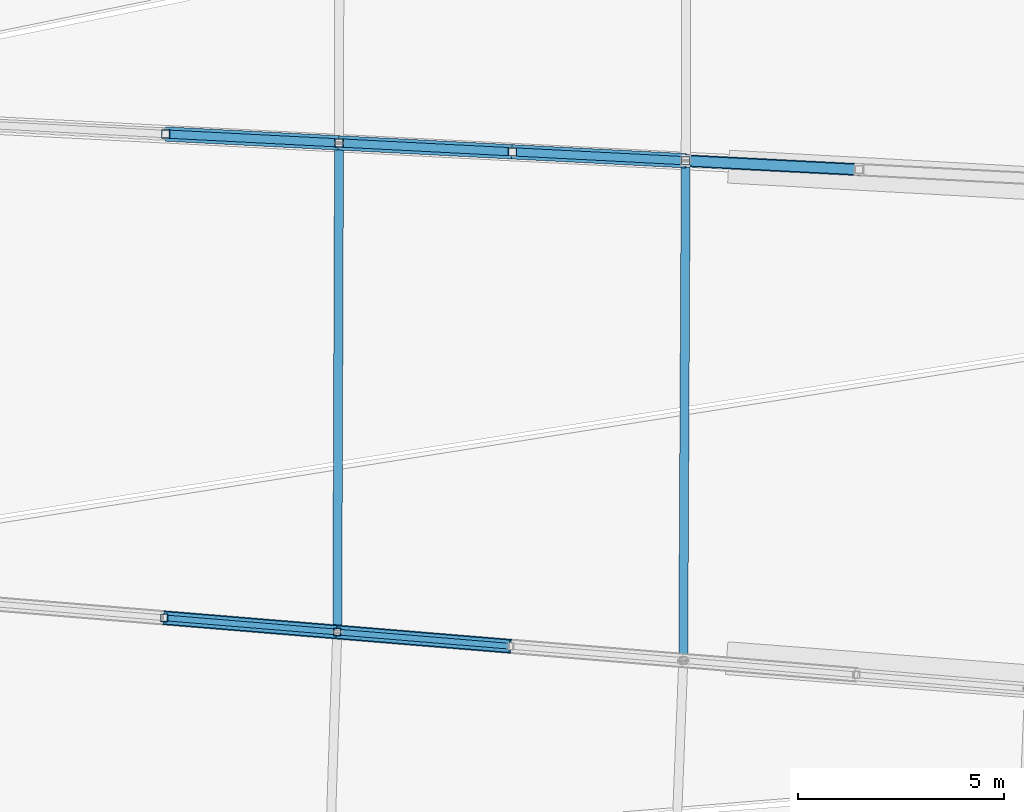
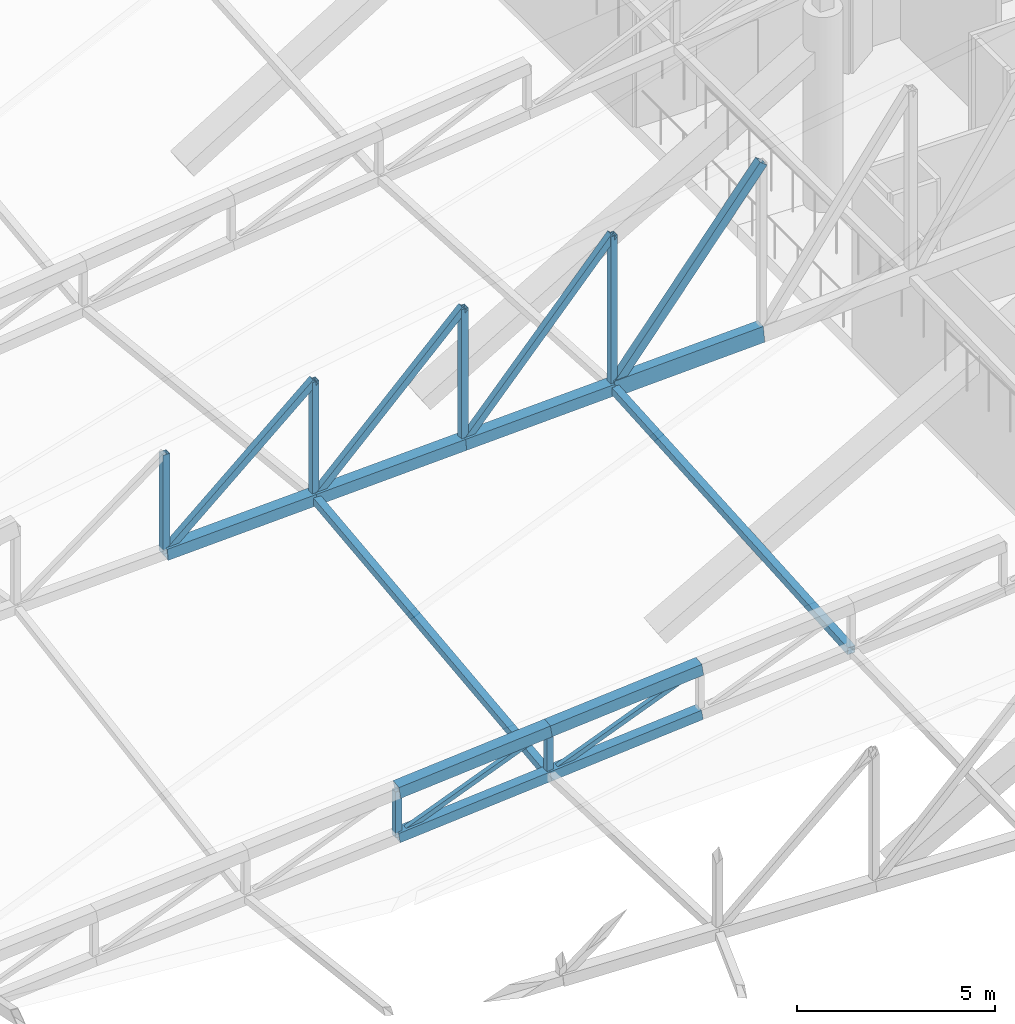
# One storey, part 100 of 344: 22 members.
"""IFC4 building model written with IfcOpenShell, lengths in metres."""

import ifcopenshell
import ifcopenshell.guid

model = None  # the IFC model being written
_history = None  # IfcOwnerHistory: only IFC2X3 demands one
_inside = {}  # id of a spatial element -> (the spatial element, [elements in it])
_under = {}  # id of a project, library or spatial element -> (it, [spatial elements below it])
_declared = {}  # id of a project -> (the project, [libraries it declares])
_typed = {}  # id of a type object -> (the type object, [elements of that type])
_made_of = {}  # id of a material, layer set ... -> (it, [elements and type objects made of it])


def new_model(schema):
    """Start an empty IFC model of exactly this schema.

    Asked for "IFC4X3", IfcOpenShell would pick the latest addendum, in which some entities
    have other attributes; the version numbers below select the first issue.
    IFC2X3 requires an IfcOwnerHistory on every rooted entity: one is made here for all.
    """
    global model, _history
    if schema == "IFC4X3":
        model = ifcopenshell.file(schema_version=(4, 3, 0, 0))
    else:
        model = ifcopenshell.file(schema=schema)
    _inside.clear()
    _under.clear()
    _declared.clear()
    _typed.clear()
    _made_of.clear()
    _history = None
    if model.schema == "IFC2X3":
        org = make("IfcOrganization", Name="unknown")
        user = make(
            "IfcPersonAndOrganization",
            ThePerson=make("IfcPerson", FamilyName="unknown"),
            TheOrganization=org,
        )
        app = make(
            "IfcApplication",
            ApplicationDeveloper=org,
            Version="unknown",
            ApplicationFullName="unknown",
            ApplicationIdentifier="unknown",
        )
        _history = make(
            "IfcOwnerHistory",
            OwningUser=user,
            OwningApplication=app,
            ChangeAction="ADDED",
            CreationDate=0,
        )
    return model


def make(cls, **values):
    """One entity of the class cls with the attributes given. An attribute that is None is left unset."""
    return model.create_entity(
        cls, **{name: value for name, value in values.items() if value is not None}
    )


def rooted(cls, **values):
    """An entity with a GlobalId (a new one), such as an element, a storey or a relation."""
    return make(cls, GlobalId=ifcopenshell.guid.new(), OwnerHistory=_history, **values)


def si_unit(unit_type, name, prefix=None):
    """IfcSIUnit, for example si_unit("LENGTHUNIT", "METRE", prefix="MILLI")."""
    return make("IfcSIUnit", UnitType=unit_type, Prefix=prefix, Name=name)


def assignment(units):
    """IfcUnitAssignment: the units of a project."""
    return None if units is None else make("IfcUnitAssignment", Units=units)


def point(xyz):
    """IfcCartesianPoint."""
    return None if xyz is None else make("IfcCartesianPoint", Coordinates=xyz)


def direction(xyz):
    """IfcDirection."""
    return None if xyz is None else make("IfcDirection", DirectionRatios=xyz)


def frame(location, z_axis=None, x_axis=None):
    """IfcAxis2Placement3D, a coordinate frame: its origin and axes. An axis left out is left unset."""
    return make(
        "IfcAxis2Placement3D",
        Location=point(location),
        Axis=direction(z_axis),
        RefDirection=direction(x_axis),
    )


def frame_2d(location, x_axis=None):
    """IfcAxis2Placement2D, a coordinate frame in the plane: its origin and x axis."""
    return make(
        "IfcAxis2Placement2D", Location=point(location), RefDirection=direction(x_axis)
    )


def origin():
    """The frame at (0, 0, 0) with its axes left unset."""
    return frame((0.0, 0.0, 0.0))


def origin_2d():
    """The frame at (0, 0) in the plane with its x axis left unset."""
    return frame_2d((0.0, 0.0))


def place(relative_to, where):
    """IfcLocalPlacement: puts the frame where relative to a parent placement (None: the world)."""
    return make(
        "IfcLocalPlacement", PlacementRelTo=relative_to, RelativePlacement=where
    )


def context(
    kind, dimensions, precision=None, world=None, true_north=None, identifier=None
):
    """IfcGeometricRepresentationContext, for example the 3D "Model" context."""
    return make(
        "IfcGeometricRepresentationContext",
        ContextIdentifier=identifier,
        ContextType=kind,
        CoordinateSpaceDimension=dimensions,
        Precision=precision,
        WorldCoordinateSystem=world,
        TrueNorth=true_north,
    )


def subcontext(parent, identifier, kind, view, scale=None):
    """IfcGeometricRepresentationSubContext, for example "Body" below "Model"."""
    return make(
        "IfcGeometricRepresentationSubContext",
        ContextIdentifier=identifier,
        ContextType=kind,
        ParentContext=parent,
        TargetScale=scale,
        TargetView=view,
    )


def project(units=None, contexts=None):
    """IfcProject with its units and contexts."""
    return rooted(
        "IfcProject",
        Name="project",
        RepresentationContexts=contexts,
        UnitsInContext=assignment(units),
    )


def spatial(cls, under=None, at=None, **own):
    """A site, building, storey or space (cls), placed at a placement, below another one or the project."""
    s = rooted(cls, ObjectPlacement=at, **own)
    if under is not None:
        _under.setdefault(under.id(), (under, []))[1].append(s)
    return s


def profile(cls, at=None, kind="AREA", **sizes):
    """A parametric profile (cls). Its sizes go by their IFC names, for example OverallWidth=200.0."""
    return make(cls, ProfileType=kind, Position=at, **sizes)


def hollow_rectangle(**sizes):
    """IfcRectangleHollowProfileDef."""
    return profile("IfcRectangleHollowProfileDef", **sizes)


def extrude(swept, where, along, depth):
    """IfcExtrudedAreaSolid: the profile swept, set in the frame where, extruded along a direction by depth."""
    return make(
        "IfcExtrudedAreaSolid",
        SweptArea=swept,
        Position=where,
        ExtrudedDirection=direction(along),
        Depth=depth,
    )


def shape(context_of_items, identifier, shape_type, items):
    """IfcShapeRepresentation: the items that make up one representation, for example the "Body"."""
    return make(
        "IfcShapeRepresentation",
        ContextOfItems=context_of_items,
        RepresentationIdentifier=identifier,
        RepresentationType=shape_type,
        Items=items,
    )


def material(Name=None, Category=None):
    """IfcMaterial."""
    return make("IfcMaterial", Name=Name, Category=Category)


def material_profile(
    of_material, cross_section, Name=None, Category=None, Priority=None
):
    """IfcMaterialProfile: a cross section and its material."""
    return make(
        "IfcMaterialProfile",
        Name=Name,
        Material=of_material,
        Profile=cross_section,
        Priority=Priority,
        Category=Category,
    )


def profile_set(profiles, Name=None, composite=None):
    """IfcMaterialProfileSet."""
    return make(
        "IfcMaterialProfileSet",
        Name=Name,
        MaterialProfiles=profiles,
        CompositeProfile=composite,
    )


def made_of(thing, what):
    """Note that an element or type object is made of a material, layer set ...; save() writes the relation."""
    if what is not None:
        _made_of.setdefault(what.id(), (what, []))[1].append(thing)
    return thing


def type_object(cls, material=None, **own):
    """A type object (cls), such as IfcWallType, which elements share."""
    return made_of(rooted(cls, **own), material)


def element(
    cls,
    number,
    at=None,
    inside=None,
    cuts=None,
    type_object=None,
    material=None,
    context=None,
    identifier="Body",
    shape_type=None,
    held_by="IfcProductDefinitionShape",
    body=None,
    shapes=None,
    **own,
):
    """One element of the class cls, such as IfcWall. Its Tag is "e" and its number.

    at: its placement. inside: the storey or other place that contains it. cuts: it is an
    opening in that element (IfcRelVoidsElement). A single representation is given by context,
    identifier, shape_type and body (its items); several are given by shapes. held_by: the class
    of the entity that holds the representations. save() writes the other relations.
    """
    e = rooted(cls, Tag="e%d" % number, ObjectPlacement=at, **own)
    if body is not None:
        shapes = [shape(context, identifier, shape_type, body)]
    if shapes is not None:
        e.Representation = make(held_by, Representations=shapes)
    if inside is not None:
        _inside.setdefault(inside.id(), (inside, []))[1].append(e)
    if cuts is not None:
        rooted(
            "IfcRelVoidsElement", RelatingBuildingElement=cuts, RelatedOpeningElement=e
        )
    if type_object is not None:
        _typed.setdefault(type_object.id(), (type_object, []))[1].append(e)
    return made_of(e, material)


def aggregate(whole, parts):
    """IfcRelAggregates: a whole, such as a stair, and the parts it consists of."""
    return rooted("IfcRelAggregates", RelatingObject=whole, RelatedObjects=parts)


def save(model, path):
    """Write the relations noted so far, then the file.

    IfcRelAggregates (storeys below a building ...), IfcRelContainedInSpatialStructure (elements
    in a storey), IfcRelDefinesByType, IfcRelAssociatesMaterial and IfcRelDeclares: one each for
    every whole, place, type object, material and project.
    """
    for whole, parts in _under.values():
        aggregate(whole, parts)
    for where, things in _inside.values():
        rooted(
            "IfcRelContainedInSpatialStructure",
            RelatedElements=things,
            RelatingStructure=where,
        )
    for kind, things in _typed.values():
        rooted("IfcRelDefinesByType", RelatedObjects=things, RelatingType=kind)
    for what, things in _made_of.values():
        rooted("IfcRelAssociatesMaterial", RelatedObjects=things, RelatingMaterial=what)
    for by, libraries in _declared.values():
        rooted("IfcRelDeclares", RelatingContext=by, RelatedDefinitions=libraries)
    model.write(path)


model = new_model("IFC4")

# Units and contexts
model_context = context("Model", 3, precision=1e-05, world=origin(), true_north=direction((0.0, 1.0)))
body_context = subcontext(model_context, "Body", "Model", "MODEL_VIEW")
ifc_project = project(units=[si_unit("LENGTHUNIT", "METRE"), si_unit("AREAUNIT", "SQUARE_METRE"), si_unit("VOLUMEUNIT", "CUBIC_METRE"), si_unit("PLANEANGLEUNIT", "RADIAN"), si_unit("MASSUNIT", "GRAM", prefix="KILO")], contexts=[model_context])

# Site, building, storey
site_placement = place(None, origin())
site = spatial("IfcSite", under=ifc_project, at=site_placement, CompositionType="ELEMENT")
building_placement = place(site_placement, origin())
building = spatial("IfcBuilding", under=site, at=building_placement, Name="Meseta Stadium", CompositionType="ELEMENT")
storey_placement = place(building_placement, frame((0.0, 0.0, 24.0)))
storey = spatial("IfcBuildingStorey", under=building, at=storey_placement, Name="L04", CompositionType="ELEMENT", Elevation=24.0)

# Members
ifc_material_1 = material(Name="Steel S355", Category="steel")
ifc_material_profile_1 = material_profile(ifc_material_1, hollow_rectangle(XDim=0.300048828125, YDim=0.5, WallThickness=0.01611328125, at=origin_2d()), Name="RHS 500x300x16")
ifc_profile_set_1 = profile_set([ifc_material_profile_1], Name="Steel S355")
member_type_1 = type_object("IfcMemberType", Name="RHS 500x300x16 bottom chord", PredefinedType="CHORD", material=ifc_profile_set_1)
member_1_placement = place(storey_placement, frame((72.290771484375, -29.75390625, 5.624755859375), z_axis=(0.995305865628, -0.051116687095, 0.082178574743), x_axis=(0.051290169905, 0.998683793035, 0.0)))
element("IfcMember", 1, at=member_1_placement, inside=storey, type_object=member_type_1, Name="ROOF TRUSS RT-02 bottom chord", PredefinedType="CHORD", context=body_context, shape_type="SweptSolid", body=[
    extrude(hollow_rectangle(XDim=0.300048828125, YDim=0.5, WallThickness=0.01611328125, at=origin_2d()), origin(), (0.0, 0.0, 1.0), 4.236328125),
])
ifc_material_2 = material(Name="Steel S355", Category="steel")
ifc_material_profile_2 = material_profile(ifc_material_2, hollow_rectangle(XDim=0.139892578125, YDim=0.139892578125, WallThickness=0.0048828125, at=origin_2d()), Name="SHS 140x140x5")
ifc_profile_set_2 = profile_set([ifc_material_profile_2], Name="Steel S355")
member_type_2 = type_object("IfcMemberType", Name="SHS 140x140x5 diagonal", PredefinedType="BRACE", material=ifc_profile_set_2)
for number, where, z_axis, x_axis, name in (
    (2, (59.606201171875, -40.872314453125, 2.999267578125), (0.897440346301, -0.073780051677, 0.434922210063), (0.081935226242, 0.996637656674, 0.0), "ROOF TRUSS RT-01 diagonal"),
    (3, (63.814208984375, -41.21826171875, 3.632568359375), (0.89741657431, -0.073830163749, 0.434962755963), (0.081992660671, 0.996632933229, 0.0), "ROOF TRUSS RT-01 diagonal"),
):
    element("IfcMember", number, at=place(storey_placement, frame(where, z_axis=z_axis, x_axis=x_axis)), inside=storey, type_object=member_type_2, Name=name, PredefinedType="BRACE", context=body_context, shape_type="SweptSolid", body=[
        extrude(hollow_rectangle(XDim=0.139892578125, YDim=0.139892578125, WallThickness=0.0048828125, at=origin_2d()), origin(), (0.0, 0.0, 1.0), 4.68896484375),
    ])
ifc_material_3 = material(Name="Steel S355", Category="steel")
ifc_material_profile_3 = material_profile(ifc_material_3, hollow_rectangle(XDim=0.179931640625, YDim=0.179931640625, WallThickness=0.00634765625, at=origin_2d()), Name="SHS 180x180x6.3")
ifc_profile_set_3 = profile_set([ifc_material_profile_3], Name="Steel S355")
member_type_3 = type_object("IfcMemberType", Name="SHS 180x180x6.3 post", PredefinedType="POST", material=ifc_profile_set_3)
member_2_placement = place(storey_placement, frame((59.606201171875, -40.872314453125, 2.999267578125), z_axis=(0.0, 0.0, 1.0), x_axis=(1.0, 0.0, 0.0)))
element("IfcMember", 4, at=member_2_placement, inside=storey, type_object=member_type_3, Name="ROOF TRUSS RT-01 post", PredefinedType="POST", context=body_context, shape_type="SweptSolid", body=[
    extrude(hollow_rectangle(XDim=0.179931640625, YDim=0.179931640625, WallThickness=0.00634765625, at=origin_2d()), origin(), (0.0, 0.0, 1.0), 1.40576171875),
])
member_3_placement = place(storey_placement, frame((63.814208984375, -41.21826171875, 3.632568359375), z_axis=(0.0, 0.0, 1.0), x_axis=(1.0, 0.0, 0.0)))
element("IfcMember", 5, at=member_3_placement, inside=storey, type_object=member_type_3, Name="ROOF TRUSS RT-01 post", PredefinedType="POST", context=body_context, shape_type="SweptSolid", body=[
    extrude(hollow_rectangle(XDim=0.179931640625, YDim=0.179931640625, WallThickness=0.00634765625, at=origin_2d()), origin(), (0.0, 0.0, 1.0), 1.406005859375),
])
ifc_material_4 = material(Name="Steel S355", Category="steel")
ifc_material_profile_4 = material_profile(ifc_material_4, hollow_rectangle(XDim=0.199951171875, YDim=0.199951171875, WallThickness=0.008056640625, at=origin_2d()), Name="SHS 200x200x8")
ifc_profile_set_4 = profile_set([ifc_material_profile_4], Name="Steel S355")
member_type_4 = type_object("IfcMemberType", Name="SHS 200x200x8 diagonal", PredefinedType="BRACE", material=ifc_profile_set_4)
member_4_placement = place(storey_placement, frame((59.640869140625, -29.103759765625, 4.58056640625), z_axis=(0.730089777675, -0.037495780951, 0.682321759102), x_axis=(0.051290169905, 0.998683793035, 0.0)))
element("IfcMember", 6, at=member_4_placement, inside=storey, type_object=member_type_4, Name="ROOF TRUSS RT-02 diagonal", PredefinedType="BRACE", context=body_context, shape_type="SweptSolid", body=[
    extrude(hollow_rectangle(XDim=0.199951171875, YDim=0.199951171875, WallThickness=0.008056640625, at=origin_2d()), origin(), (0.0, 0.0, 1.0), 5.775390625),
])
member_5_placement = place(storey_placement, frame((63.857421875, -29.3203125, 4.9287109375), z_axis=(0.684258030429, -0.035179546724, 0.728390930261), x_axis=(0.051344876791, 0.998680981909, 0.0)))
element("IfcMember", 7, at=member_5_placement, inside=storey, type_object=member_type_4, Name="ROOF TRUSS RT-02 diagonal", PredefinedType="BRACE", context=body_context, shape_type="SweptSolid", body=[
    extrude(hollow_rectangle(XDim=0.199951171875, YDim=0.199951171875, WallThickness=0.008056640625, at=origin_2d()), origin(), (0.0, 0.0, 1.0), 6.16259765625),
])
member_6_placement = place(storey_placement, frame((68.07421875, -29.537109375, 5.276611328125), z_axis=(0.641537062944, -0.032985056563, 0.766382530407), x_axis=(0.051347841848, 0.998680829463, 0.0)))
element("IfcMember", 8, at=member_6_placement, inside=storey, type_object=member_type_4, Name="ROOF TRUSS RT-02 diagonal", PredefinedType="BRACE", context=body_context, shape_type="SweptSolid", body=[
    extrude(hollow_rectangle(XDim=0.199951171875, YDim=0.199951171875, WallThickness=0.008056640625, at=origin_2d()), origin(), (0.0, 0.0, 1.0), 6.572509765625),
])
ifc_material_5 = material(Name="Steel S355", Category="steel")
ifc_material_profile_5 = material_profile(ifc_material_5, hollow_rectangle(XDim=0.199951171875, YDim=0.199951171875, WallThickness=0.008056640625, at=origin_2d()), Name="SHS 200x200x8")
ifc_profile_set_5 = profile_set([ifc_material_profile_5], Name="Steel S355")
member_type_5 = type_object("IfcMemberType", Name="SHS 200x200x8 post", PredefinedType="POST", material=ifc_profile_set_5)
member_7_placement = place(storey_placement, frame((59.640869140625, -29.103759765625, 4.58056640625), z_axis=(0.0, 0.0, 1.0), x_axis=(1.0, 0.0, 0.0)))
element("IfcMember", 9, at=member_7_placement, inside=storey, type_object=member_type_5, Name="ROOF TRUSS RT-02 post", PredefinedType="POST", context=body_context, shape_type="SweptSolid", body=[
    extrude(hollow_rectangle(XDim=0.199951171875, YDim=0.199951171875, WallThickness=0.008056640625, at=origin_2d()), origin(), (0.0, 0.0, 1.0), 3.04443359375),
])
member_8_placement = place(storey_placement, frame((63.857421875, -29.3203125, 4.9287109375), z_axis=(0.0, 0.0, 1.0), x_axis=(1.0, 0.0, 0.0)))
element("IfcMember", 10, at=member_8_placement, inside=storey, type_object=member_type_5, Name="ROOF TRUSS RT-02 post", PredefinedType="POST", context=body_context, shape_type="SweptSolid", body=[
    extrude(hollow_rectangle(XDim=0.199951171875, YDim=0.199951171875, WallThickness=0.008056640625, at=origin_2d()), origin(), (0.0, 0.0, 1.0), 3.592529296875),
])
member_9_placement = place(storey_placement, frame((68.07421875, -29.537109375, 5.276611328125), z_axis=(0.0, 0.0, 1.0), x_axis=(1.0, 0.0, 0.0)))
element("IfcMember", 11, at=member_9_placement, inside=storey, type_object=member_type_5, Name="ROOF TRUSS RT-02 post", PredefinedType="POST", context=body_context, shape_type="SweptSolid", body=[
    extrude(hollow_rectangle(XDim=0.199951171875, YDim=0.199951171875, WallThickness=0.008056640625, at=origin_2d()), origin(), (0.0, 0.0, 1.0), 4.140869140625),
])
member_10_placement = place(storey_placement, frame((72.290771484375, -29.75390625, 5.624755859375), z_axis=(0.0, 0.0, 1.0), x_axis=(1.0, 0.0, 0.0)))
element("IfcMember", 12, at=member_10_placement, inside=storey, type_object=member_type_5, Name="ROOF TRUSS RT-02 post", PredefinedType="POST", context=body_context, shape_type="SweptSolid", body=[
    extrude(hollow_rectangle(XDim=0.199951171875, YDim=0.199951171875, WallThickness=0.008056640625, at=origin_2d()), origin(), (0.0, 0.0, 1.0), 4.68896484375),
])
ifc_material_6 = material(Name="Steel S355", Category="steel")
ifc_material_profile_6 = material_profile(ifc_material_6, hollow_rectangle(XDim=0.219970703125, YDim=0.219970703125, WallThickness=0.008056640625, at=origin_2d()), Name="SHS 220x220x8")
ifc_profile_set_6 = profile_set([ifc_material_profile_6], Name="Steel S355")
member_type_6 = type_object("IfcMemberType", Name="SHS 220x220x8 strut", PredefinedType="STRUT", material=ifc_profile_set_6)
member_11_placement = place(storey_placement, frame((63.814208984375, -41.21826171875, 3.632568359375), z_axis=(0.003610576414, 0.994112039238, 0.108296893674), x_axis=(-0.999993404494, 0.003631937304, 0.0)))
element("IfcMember", 13, at=member_11_placement, inside=storey, type_object=member_type_6, Name="ROOF TRUSS STRUT RT-01/02", PredefinedType="STRUT", context=body_context, shape_type="SweptSolid", body=[
    extrude(hollow_rectangle(XDim=0.219970703125, YDim=0.219970703125, WallThickness=0.008056640625, at=origin_2d()), origin(), (0.0, 0.0, 1.0), 11.968505859375),
])
member_12_placement = place(storey_placement, frame((72.230224609375, -41.910400390625, 4.899658203125), z_axis=(0.004971721972, 0.9982135168, 0.059540380071), x_axis=(-0.999987596944, 0.004980557991, 0.0)))
element("IfcMember", 14, at=member_12_placement, inside=storey, type_object=member_type_6, Name="ROOF TRUSS STRUT RT-01/02", PredefinedType="STRUT", context=body_context, shape_type="SweptSolid", body=[
    extrude(hollow_rectangle(XDim=0.219970703125, YDim=0.219970703125, WallThickness=0.008056640625, at=origin_2d()), origin(), (0.0, 0.0, 1.0), 12.17822265625),
])
ifc_material_7 = material(Name="Steel S355", Category="steel")
ifc_material_profile_7 = material_profile(ifc_material_7, hollow_rectangle(XDim=0.25, YDim=0.25, WallThickness=0.010009765625, at=origin_2d()), Name="SHS 250x250x10")
ifc_profile_set_7 = profile_set([ifc_material_profile_7], Name="Steel S355")
member_type_7 = type_object("IfcMemberType", Name="SHS 250x250x10 diagonal", PredefinedType="BRACE", material=ifc_profile_set_7)
member_13_placement = place(storey_placement, frame((72.290771484375, -29.75390625, 5.624755859375), z_axis=(0.602237311618, -0.030929563743, 0.797717733651), x_axis=(0.051290169905, 0.998683793035, 0.0)))
element("IfcMember", 15, at=member_13_placement, inside=storey, type_object=member_type_7, Name="ROOF TRUSS RT-02 diagonal", PredefinedType="BRACE", context=body_context, shape_type="SweptSolid", body=[
    extrude(hollow_rectangle(XDim=0.25, YDim=0.25, WallThickness=0.010009765625, at=origin_2d()), origin(), (0.0, 0.0, 1.0), 7.00146484375),
])
ifc_material_8 = material(Name="Steel S355", Category="steel")
ifc_material_profile_8 = material_profile(ifc_material_8, hollow_rectangle(XDim=0.300048828125, YDim=0.300048828125, WallThickness=0.010009765625, at=origin_2d()), Name="SHS 300x300x10")
ifc_profile_set_8 = profile_set([ifc_material_profile_8], Name="Steel S355")
member_type_8 = type_object("IfcMemberType", Name="SHS 300x300x10 bottom chord", PredefinedType="CHORD", material=ifc_profile_set_8)
for number, where, z_axis, x_axis, name in (
    (16, (59.606201171875, -40.872314453125, 2.999267578125), (0.985612232044, -0.081028807891, 0.148333611622), (0.081935226242, 0.996637656674, 0.0), "ROOF TRUSS RT-01 bottom chord"),
    (17, (63.814208984375, -41.21826171875, 3.632568359375), (0.98559930207, -0.081084927497, 0.148388848275), (0.081992660671, 0.996632933229, 0.0), "ROOF TRUSS RT-01 bottom chord"),
):
    element("IfcMember", number, at=place(storey_placement, frame(where, z_axis=z_axis, x_axis=x_axis)), inside=storey, type_object=member_type_8, Name=name, PredefinedType="CHORD", context=body_context, shape_type="SweptSolid", body=[
        extrude(hollow_rectangle(XDim=0.300048828125, YDim=0.300048828125, WallThickness=0.010009765625, at=origin_2d()), origin(), (0.0, 0.0, 1.0), 4.26953125),
    ])
ifc_material_9 = material(Name="Steel S355", Category="steel")
ifc_material_profile_9 = material_profile(ifc_material_9, hollow_rectangle(XDim=0.35009765625, YDim=0.35009765625, WallThickness=0.010009765625, at=origin_2d()), Name="SHS 350x350x10")
ifc_profile_set_9 = profile_set([ifc_material_profile_9], Name="Steel S355")
member_type_9 = type_object("IfcMemberType", Name="SHS 350x350x10 top chord", PredefinedType="CHORD", material=ifc_profile_set_9)
for number, where, z_axis, x_axis, name in (
    (18, (59.606201171875, -40.872314453125, 4.405029296875), (0.985603870366, -0.081028120464, 0.148389536064), (0.081935226242, 0.996637656674, 0.0), "ROOF TRUSS RT-01 top chord"),
    (19, (63.814208984375, -41.21826171875, 5.03857421875), (0.98559930207, -0.081084927497, 0.148388848275), (0.081992660671, 0.996632933229, 0.0), "ROOF TRUSS RT-01 top chord"),
):
    element("IfcMember", number, at=place(storey_placement, frame(where, z_axis=z_axis, x_axis=x_axis)), inside=storey, type_object=member_type_9, Name=name, PredefinedType="CHORD", context=body_context, shape_type="SweptSolid", body=[
        extrude(hollow_rectangle(XDim=0.35009765625, YDim=0.35009765625, WallThickness=0.010009765625, at=origin_2d()), origin(), (0.0, 0.0, 1.0), 4.26953125),
    ])
ifc_material_10 = material(Name="Steel S355", Category="steel")
ifc_material_profile_10 = material_profile(ifc_material_10, hollow_rectangle(XDim=0.35009765625, YDim=0.35009765625, WallThickness=0.01416015625, at=origin_2d()), Name="SHS 350x350x14.2")
ifc_profile_set_10 = profile_set([ifc_material_profile_10], Name="Steel S355")
member_type_10 = type_object("IfcMemberType", Name="SHS 350x350x14.2 bottom chord", PredefinedType="CHORD", material=ifc_profile_set_10)
member_14_placement = place(storey_placement, frame((59.640869140625, -29.103759765625, 4.58056640625), z_axis=(0.995305865628, -0.051116687095, 0.082178574743), x_axis=(0.051290169905, 0.998683793035, 0.0)))
element("IfcMember", 20, at=member_14_placement, inside=storey, type_object=member_type_10, Name="ROOF TRUSS RT-02 bottom chord", PredefinedType="CHORD", context=body_context, shape_type="SweptSolid", body=[
    extrude(hollow_rectangle(XDim=0.35009765625, YDim=0.35009765625, WallThickness=0.01416015625, at=origin_2d()), origin(), (0.0, 0.0, 1.0), 4.236328125),
])
for number, where, z_axis, x_axis, name in (
    (21, (63.857421875, -29.3203125, 4.9287109375), (0.995308183497, -0.051171472148, 0.08211638267), (0.051344876791, 0.998680981909, 0.0), "ROOF TRUSS RT-02 bottom chord"),
    (22, (68.07421875, -29.537109375, 5.276611328125), (0.995302932026, -0.051174164996, 0.082178332527), (0.051347841848, 0.998680829463, 0.0), "ROOF TRUSS RT-02 bottom chord"),
):
    element("IfcMember", number, at=place(storey_placement, frame(where, z_axis=z_axis, x_axis=x_axis)), inside=storey, type_object=member_type_10, Name=name, PredefinedType="CHORD", context=body_context, shape_type="SweptSolid", body=[
        extrude(hollow_rectangle(XDim=0.35009765625, YDim=0.35009765625, WallThickness=0.01416015625, at=origin_2d()), origin(), (0.0, 0.0, 1.0), 4.236572265625),
    ])

save(model, "model.ifc")
